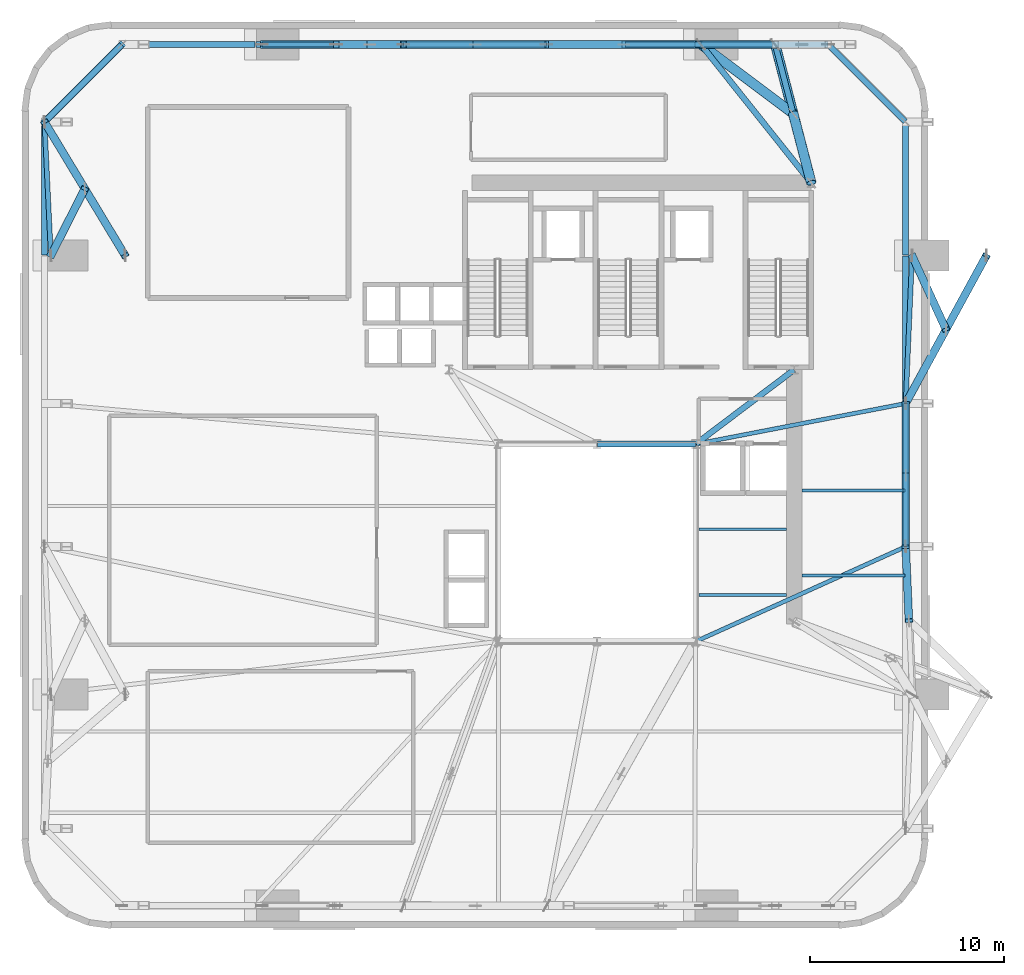
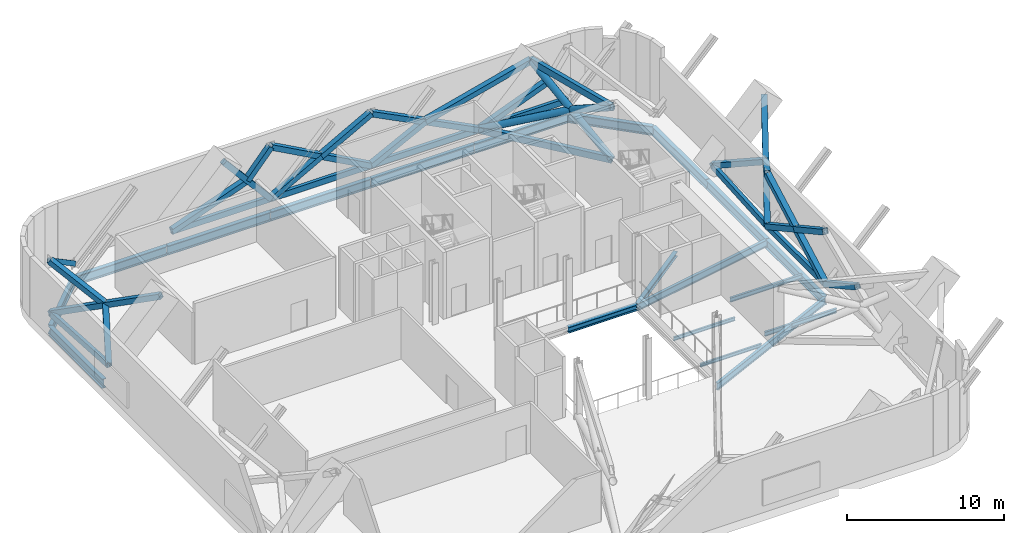
# One storey, part 3 of 12: 33 members, 19 beams.
"""IFC4 building model written with IfcOpenShell, lengths in metres."""

import ifcopenshell
import ifcopenshell.guid

model = None  # the IFC model being written
_history = None  # IfcOwnerHistory: only IFC2X3 demands one
_inside = {}  # id of a spatial element -> (the spatial element, [elements in it])
_under = {}  # id of a project, library or spatial element -> (it, [spatial elements below it])
_declared = {}  # id of a project -> (the project, [libraries it declares])
_typed = {}  # id of a type object -> (the type object, [elements of that type])
_made_of = {}  # id of a material, layer set ... -> (it, [elements and type objects made of it])


def new_model(schema):
    """Start an empty IFC model of exactly this schema.

    Asked for "IFC4X3", IfcOpenShell would pick the latest addendum, in which some entities
    have other attributes; the version numbers below select the first issue.
    IFC2X3 requires an IfcOwnerHistory on every rooted entity: one is made here for all.
    """
    global model, _history
    if schema == "IFC4X3":
        model = ifcopenshell.file(schema_version=(4, 3, 0, 0))
    else:
        model = ifcopenshell.file(schema=schema)
    _inside.clear()
    _under.clear()
    _declared.clear()
    _typed.clear()
    _made_of.clear()
    _history = None
    if model.schema == "IFC2X3":
        org = make("IfcOrganization", Name="unknown")
        user = make(
            "IfcPersonAndOrganization",
            ThePerson=make("IfcPerson", FamilyName="unknown"),
            TheOrganization=org,
        )
        app = make(
            "IfcApplication",
            ApplicationDeveloper=org,
            Version="unknown",
            ApplicationFullName="unknown",
            ApplicationIdentifier="unknown",
        )
        _history = make(
            "IfcOwnerHistory",
            OwningUser=user,
            OwningApplication=app,
            ChangeAction="ADDED",
            CreationDate=0,
        )
    return model


def make(cls, **values):
    """One entity of the class cls with the attributes given. An attribute that is None is left unset."""
    return model.create_entity(
        cls, **{name: value for name, value in values.items() if value is not None}
    )


def rooted(cls, **values):
    """An entity with a GlobalId (a new one), such as an element, a storey or a relation."""
    return make(cls, GlobalId=ifcopenshell.guid.new(), OwnerHistory=_history, **values)


def si_unit(unit_type, name, prefix=None):
    """IfcSIUnit, for example si_unit("LENGTHUNIT", "METRE", prefix="MILLI")."""
    return make("IfcSIUnit", UnitType=unit_type, Prefix=prefix, Name=name)


def assignment(units):
    """IfcUnitAssignment: the units of a project."""
    return None if units is None else make("IfcUnitAssignment", Units=units)


def point(xyz):
    """IfcCartesianPoint."""
    return None if xyz is None else make("IfcCartesianPoint", Coordinates=xyz)


def direction(xyz):
    """IfcDirection."""
    return None if xyz is None else make("IfcDirection", DirectionRatios=xyz)


def frame(location, z_axis=None, x_axis=None):
    """IfcAxis2Placement3D, a coordinate frame: its origin and axes. An axis left out is left unset."""
    return make(
        "IfcAxis2Placement3D",
        Location=point(location),
        Axis=direction(z_axis),
        RefDirection=direction(x_axis),
    )


def frame_2d(location, x_axis=None):
    """IfcAxis2Placement2D, a coordinate frame in the plane: its origin and x axis."""
    return make(
        "IfcAxis2Placement2D", Location=point(location), RefDirection=direction(x_axis)
    )


def origin():
    """The frame at (0, 0, 0) with its axes left unset."""
    return frame((0.0, 0.0, 0.0))


def origin_2d():
    """The frame at (0, 0) in the plane with its x axis left unset."""
    return frame_2d((0.0, 0.0))


def place(relative_to, where):
    """IfcLocalPlacement: puts the frame where relative to a parent placement (None: the world)."""
    return make(
        "IfcLocalPlacement", PlacementRelTo=relative_to, RelativePlacement=where
    )


def context(
    kind, dimensions, precision=None, world=None, true_north=None, identifier=None
):
    """IfcGeometricRepresentationContext, for example the 3D "Model" context."""
    return make(
        "IfcGeometricRepresentationContext",
        ContextIdentifier=identifier,
        ContextType=kind,
        CoordinateSpaceDimension=dimensions,
        Precision=precision,
        WorldCoordinateSystem=world,
        TrueNorth=true_north,
    )


def subcontext(parent, identifier, kind, view, scale=None):
    """IfcGeometricRepresentationSubContext, for example "Body" below "Model"."""
    return make(
        "IfcGeometricRepresentationSubContext",
        ContextIdentifier=identifier,
        ContextType=kind,
        ParentContext=parent,
        TargetScale=scale,
        TargetView=view,
    )


def project(units=None, contexts=None):
    """IfcProject with its units and contexts."""
    return rooted(
        "IfcProject",
        Name="project",
        RepresentationContexts=contexts,
        UnitsInContext=assignment(units),
    )


def spatial(cls, under=None, at=None, **own):
    """A site, building, storey or space (cls), placed at a placement, below another one or the project."""
    s = rooted(cls, ObjectPlacement=at, **own)
    if under is not None:
        _under.setdefault(under.id(), (under, []))[1].append(s)
    return s


def profile(cls, at=None, kind="AREA", **sizes):
    """A parametric profile (cls). Its sizes go by their IFC names, for example OverallWidth=200.0."""
    return make(cls, ProfileType=kind, Position=at, **sizes)


def hollow_rectangle(**sizes):
    """IfcRectangleHollowProfileDef."""
    return profile("IfcRectangleHollowProfileDef", **sizes)


def hollow_circle(**sizes):
    """IfcCircleHollowProfileDef."""
    return profile("IfcCircleHollowProfileDef", **sizes)


def i_section(**sizes):
    """IfcIShapeProfileDef."""
    return profile("IfcIShapeProfileDef", **sizes)


def extrude(swept, where, along, depth):
    """IfcExtrudedAreaSolid: the profile swept, set in the frame where, extruded along a direction by depth."""
    return make(
        "IfcExtrudedAreaSolid",
        SweptArea=swept,
        Position=where,
        ExtrudedDirection=direction(along),
        Depth=depth,
    )


def shape(context_of_items, identifier, shape_type, items):
    """IfcShapeRepresentation: the items that make up one representation, for example the "Body"."""
    return make(
        "IfcShapeRepresentation",
        ContextOfItems=context_of_items,
        RepresentationIdentifier=identifier,
        RepresentationType=shape_type,
        Items=items,
    )


def source(mapping_origin, context_of_items, identifier, shape_type, items):
    """IfcRepresentationMap: a shape defined once, which mapped items show again and again."""
    return make(
        "IfcRepresentationMap",
        MappingOrigin=mapping_origin,
        MappedRepresentation=shape(context_of_items, identifier, shape_type, items),
    )


def transform(
    local_origin,
    x_axis=None,
    y_axis=None,
    z_axis=None,
    scale=None,
    scale2=None,
    scale3=None,
    uniform=True,
):
    """IfcCartesianTransformationOperator3D, or its non-uniform kind. x_axis, y_axis, z_axis: its Axis1, 2, 3."""
    if uniform:
        return make(
            "IfcCartesianTransformationOperator3D",
            Axis1=direction(x_axis),
            Axis2=direction(y_axis),
            LocalOrigin=point(local_origin),
            Scale=scale,
            Axis3=direction(z_axis),
        )
    return make(
        "IfcCartesianTransformationOperator3DnonUniform",
        Axis1=direction(x_axis),
        Axis2=direction(y_axis),
        LocalOrigin=point(local_origin),
        Scale=scale,
        Axis3=direction(z_axis),
        Scale2=scale2,
        Scale3=scale3,
    )


def mapped(mapping_source, mapping_target):
    """IfcMappedItem: shows the shape of a source again, moved by a transform."""
    return make(
        "IfcMappedItem", MappingSource=mapping_source, MappingTarget=mapping_target
    )


def material(Name=None, Category=None):
    """IfcMaterial."""
    return make("IfcMaterial", Name=Name, Category=Category)


def material_profile(
    of_material, cross_section, Name=None, Category=None, Priority=None
):
    """IfcMaterialProfile: a cross section and its material."""
    return make(
        "IfcMaterialProfile",
        Name=Name,
        Material=of_material,
        Profile=cross_section,
        Priority=Priority,
        Category=Category,
    )


def profile_set(profiles, Name=None, composite=None):
    """IfcMaterialProfileSet."""
    return make(
        "IfcMaterialProfileSet",
        Name=Name,
        MaterialProfiles=profiles,
        CompositeProfile=composite,
    )


def made_of(thing, what):
    """Note that an element or type object is made of a material, layer set ...; save() writes the relation."""
    if what is not None:
        _made_of.setdefault(what.id(), (what, []))[1].append(thing)
    return thing


def type_object(cls, material=None, **own):
    """A type object (cls), such as IfcWallType, which elements share."""
    return made_of(rooted(cls, **own), material)


def element(
    cls,
    number,
    at=None,
    inside=None,
    cuts=None,
    type_object=None,
    material=None,
    context=None,
    identifier="Body",
    shape_type=None,
    held_by="IfcProductDefinitionShape",
    body=None,
    shapes=None,
    **own,
):
    """One element of the class cls, such as IfcWall. Its Tag is "e" and its number.

    at: its placement. inside: the storey or other place that contains it. cuts: it is an
    opening in that element (IfcRelVoidsElement). A single representation is given by context,
    identifier, shape_type and body (its items); several are given by shapes. held_by: the class
    of the entity that holds the representations. save() writes the other relations.
    """
    e = rooted(cls, Tag="e%d" % number, ObjectPlacement=at, **own)
    if body is not None:
        shapes = [shape(context, identifier, shape_type, body)]
    if shapes is not None:
        e.Representation = make(held_by, Representations=shapes)
    if inside is not None:
        _inside.setdefault(inside.id(), (inside, []))[1].append(e)
    if cuts is not None:
        rooted(
            "IfcRelVoidsElement", RelatingBuildingElement=cuts, RelatedOpeningElement=e
        )
    if type_object is not None:
        _typed.setdefault(type_object.id(), (type_object, []))[1].append(e)
    return made_of(e, material)


def aggregate(whole, parts):
    """IfcRelAggregates: a whole, such as a stair, and the parts it consists of."""
    return rooted("IfcRelAggregates", RelatingObject=whole, RelatedObjects=parts)


def save(model, path):
    """Write the relations noted so far, then the file.

    IfcRelAggregates (storeys below a building ...), IfcRelContainedInSpatialStructure (elements
    in a storey), IfcRelDefinesByType, IfcRelAssociatesMaterial and IfcRelDeclares: one each for
    every whole, place, type object, material and project.
    """
    for whole, parts in _under.values():
        aggregate(whole, parts)
    for where, things in _inside.values():
        rooted(
            "IfcRelContainedInSpatialStructure",
            RelatedElements=things,
            RelatingStructure=where,
        )
    for kind, things in _typed.values():
        rooted("IfcRelDefinesByType", RelatedObjects=things, RelatingType=kind)
    for what, things in _made_of.values():
        rooted("IfcRelAssociatesMaterial", RelatedObjects=things, RelatingMaterial=what)
    for by, libraries in _declared.values():
        rooted("IfcRelDeclares", RelatingContext=by, RelatedDefinitions=libraries)
    model.write(path)


model = new_model("IFC4")

# Units and contexts
model_context = context("Model", 3, precision=1e-05, world=origin(), true_north=direction((0.0, 1.0)))
body_context = subcontext(model_context, "Body", "Model", "MODEL_VIEW")
ifc_project = project(units=[si_unit("LENGTHUNIT", "METRE"), si_unit("AREAUNIT", "SQUARE_METRE"), si_unit("VOLUMEUNIT", "CUBIC_METRE"), si_unit("PLANEANGLEUNIT", "RADIAN"), si_unit("MASSUNIT", "GRAM", prefix="KILO")], contexts=[model_context])

# Site, building, storey
site_placement = place(None, origin())
site = spatial("IfcSite", under=ifc_project, at=site_placement, CompositionType="ELEMENT")
building_placement = place(site_placement, origin())
building = spatial("IfcBuilding", under=site, at=building_placement, Name="Vardaveli Station Tower", CompositionType="ELEMENT")
storey_placement = place(building_placement, frame((0.0, 0.0, 166.800048828125)))
storey = spatial("IfcBuildingStorey", under=building, at=storey_placement, Name="L43", CompositionType="ELEMENT", Elevation=166.800048828125)

# Beams
ifc_material_1 = material(Name="Structural steel S355J2", Category="steel")
ifc_material_profile_1 = material_profile(ifc_material_1, i_section(OverallWidth=0.300048828125, OverallDepth=0.449951171875, WebThickness=0.013916015625, FlangeThickness=0.02587890625, FilletRadius=0.027099609375, at=origin_2d()), Name="HEB 450")
ifc_profile_set_1 = profile_set([ifc_material_profile_1], Name="Structural steel S355J2")
beam_type_1 = type_object("IfcBeamType", Name="BM-HEB450", PredefinedType="BEAM", material=ifc_profile_set_1)
shared_shape_1 = source(origin(), body_context, "Body", "SweptSolid", [
    extrude(i_section(OverallWidth=0.300048828125, OverallDepth=0.449951171875, WebThickness=0.013916015625, FlangeThickness=0.02587890625, FilletRadius=0.027099609375, at=origin_2d()), origin(), (0.0, 0.0, 1.0), 5.059814453125),
])
beam_1_placement = place(storey_placement, frame((41.3798828125, 26.800048828125, -0.875), z_axis=(-1.0, 0.0, 0.0), x_axis=(0.0, -1.0, 0.0)))
element("IfcBeam", 1, at=beam_1_placement, inside=storey, type_object=beam_type_1, Name="ABM-L43-04", PredefinedType="BEAM", context=body_context, shape_type="MappedRepresentation", body=[
    mapped(shared_shape_1, transform((0.0, 0.0, 0.0), scale=1.0)),
])
ifc_material_profile_2 = material_profile(ifc_material_1, i_section(OverallWidth=0.300048828125, OverallDepth=0.360107421875, WebThickness=0.012451171875, FlangeThickness=0.0224609375, FilletRadius=0.027099609375, at=origin_2d()), Name="HEB 360")
ifc_profile_set_2 = profile_set([ifc_material_profile_2], Name="Structural steel S355J2")
beam_type_2 = type_object("IfcBeamType", Name="BM-HEB360", PredefinedType="BEAM", material=ifc_profile_set_2)
shared_shape_2 = source(origin(), body_context, "Body", "SweptSolid", [
    extrude(i_section(OverallWidth=0.300048828125, OverallDepth=0.360107421875, WebThickness=0.012451171875, FlangeThickness=0.0224609375, FilletRadius=0.027099609375, at=origin_2d()), origin(), (0.0, 0.0, 1.0), 6.35009765625),
])
beam_2_placement = place(storey_placement, frame((41.416015625, 26.81201171875, -0.830078125), z_axis=(0.798118337722, 0.602500721154, 0.0), x_axis=(-0.602500721154, 0.798118337722, 0.0)))
element("IfcBeam", 2, at=beam_2_placement, inside=storey, type_object=beam_type_2, Name="CBM-L43-02", PredefinedType="BEAM", context=body_context, shape_type="MappedRepresentation", body=[
    mapped(shared_shape_2, transform((0.0, 0.0, 0.0), scale=1.0)),
])
ifc_material_2 = material(Name="Structural steel S460M", Category="steel")
ifc_material_profile_3 = material_profile(ifc_material_2, i_section(OverallWidth=0.303955078125, OverallDepth=0.716064453125, WebThickness=0.02099609375, FlangeThickness=0.0400390625, FilletRadius=0.027099609375, at=origin_2d()), Name="HEM 700")
ifc_profile_set_3 = profile_set([ifc_material_profile_3], Name="Structural steel S460M")
beam_type_3 = type_object("IfcBeamType", Name="BM-HEM700", PredefinedType="BEAM", material=ifc_profile_set_3)
shared_shape_3 = source(origin(), body_context, "Body", "SweptSolid", [
    extrude(i_section(OverallWidth=0.303955078125, OverallDepth=0.716064453125, WebThickness=0.02099609375, FlangeThickness=0.0400390625, FilletRadius=0.027099609375, at=origin_2d()), origin(), (0.0, 0.0, 1.0), 7.60009765625),
])
for number, where, z_axis, x_axis, name in (
    (3, (52.25, 28.919921875, -1.008056640625), (0.0, 1.0, 0.0), (-1.0, 0.0, 0.0), "RBM-L43-09"),
    (4, (41.320068359375, 47.449951171875, -1.008056640625), (-1.0, 0.0, 0.0), (0.0, -1.0, 0.0), "RBM-L43-13"),
    (5, (26.280029296875, 47.449951171875, -1.008056640625), (-1.0, 0.0, 0.0), (0.0, -1.0, 0.0), "RBM-L43-15"),
):
    element("IfcBeam", number, at=place(storey_placement, frame(where, z_axis=z_axis, x_axis=x_axis)), inside=storey, type_object=beam_type_3, Name=name, PredefinedType="BEAM", context=body_context, shape_type="MappedRepresentation", body=[
        mapped(shared_shape_3, transform((0.0, 0.0, 0.0), scale=1.0)),
    ])
shared_shape_4 = source(origin(), body_context, "Body", "SweptSolid", [
    extrude(i_section(OverallWidth=0.303955078125, OverallDepth=0.716064453125, WebThickness=0.02099609375, FlangeThickness=0.0400390625, FilletRadius=0.027099609375, at=origin_2d()), origin(), (0.0, 0.0, 1.0), 7.35986328125),
])
for number, where, z_axis, x_axis, name in (
    (6, (52.25, 21.52001953125, -1.008056640625), (0.0, 1.0, 0.0), (-1.0, 0.0, 0.0), "RBM-L43-08"),
    (7, (33.679931640625, 47.449951171875, -1.008056640625), (-1.0, 0.0, 0.0), (0.0, -1.0, 0.0), "RBM-L43-14"),
):
    element("IfcBeam", number, at=place(storey_placement, frame(where, z_axis=z_axis, x_axis=x_axis)), inside=storey, type_object=beam_type_3, Name=name, PredefinedType="BEAM", context=body_context, shape_type="MappedRepresentation", body=[
        mapped(shared_shape_4, transform((0.0, 0.0, 0.0), scale=1.0)),
    ])
shared_shape_5 = source(origin(), body_context, "Body", "SweptSolid", [
    extrude(i_section(OverallWidth=0.303955078125, OverallDepth=0.716064453125, WebThickness=0.02099609375, FlangeThickness=0.0400390625, FilletRadius=0.027099609375, at=origin_2d()), origin(), (0.0, 0.0, 1.0), 6.869873046875),
])
for number, where, z_axis, x_axis, name in (
    (8, (52.25, 36.56005859375, -1.008056640625), (0.0, 1.0, 0.0), (-1.0, 0.0, 0.0), "RBM-L43-10"),
    (9, (48.22998046875, 47.449951171875, -1.008056640625), (-1.0, 0.0, 0.0), (0.0, -1.0, 0.0), "RBM-L43-12"),
    (10, (18.639892578125, 47.449951171875, -1.008056640625), (-1.0, 0.0, 0.0), (0.0, -1.0, 0.0), "RBM-L43-16"),
    (11, (7.75, 43.429931640625, -1.008056640625), (0.0, -1.0, 0.0), (1.0, 0.0, 0.0), "RBM-L43-18"),
):
    element("IfcBeam", number, at=place(storey_placement, frame(where, z_axis=z_axis, x_axis=x_axis)), inside=storey, type_object=beam_type_3, Name=name, PredefinedType="BEAM", context=body_context, shape_type="MappedRepresentation", body=[
        mapped(shared_shape_5, transform((0.0, 0.0, 0.0), scale=1.0)),
    ])
shared_shape_6 = source(origin(), body_context, "Body", "SweptSolid", [
    extrude(i_section(OverallWidth=0.303955078125, OverallDepth=0.716064453125, WebThickness=0.02099609375, FlangeThickness=0.0400390625, FilletRadius=0.027099609375, at=origin_2d()), origin(), (0.0, 0.0, 1.0), 5.61669921875),
])
for number, where, z_axis, x_axis, name in (
    (12, (52.23583984375, 43.464111328125, -1.008056640625), (-0.707106781187, 0.707106781187, 0.0), (-0.707106781187, -0.707106781187, 0.0), "RBM-L43-11"),
    (13, (11.73583984375, 47.435791015625, -1.008056640625), (-0.707106781187, -0.707106781187, 0.0), (0.707106781187, -0.707106781187, 0.0), "RBM-L43-17"),
):
    element("IfcBeam", number, at=place(storey_placement, frame(where, z_axis=z_axis, x_axis=x_axis)), inside=storey, type_object=beam_type_3, Name=name, PredefinedType="BEAM", context=body_context, shape_type="MappedRepresentation", body=[
        mapped(shared_shape_6, transform((0.0, 0.0, 0.0), scale=1.0)),
    ])
ifc_material_profile_4 = material_profile(ifc_material_1, i_section(OverallWidth=0.159912109375, OverallDepth=0.330078125, WebThickness=0.007568359375, FlangeThickness=0.011474609375, FilletRadius=0.01806640625, at=origin_2d()), Name="IPE 330")
ifc_profile_set_4 = profile_set([ifc_material_profile_4], Name="Structural steel S355J2")
beam_type_4 = type_object("IfcBeamType", Name="BM-IPE330", PredefinedType="JOIST", material=ifc_profile_set_4)
shared_shape_7 = source(origin(), body_context, "Body", "SweptSolid", [
    extrude(i_section(OverallWidth=0.159912109375, OverallDepth=0.330078125, WebThickness=0.007568359375, FlangeThickness=0.011474609375, FilletRadius=0.01806640625, at=origin_2d()), origin(), (0.0, 0.0, 1.0), 5.304931640625),
])
for number, where, z_axis, x_axis, name in (
    (14, (46.905029296875, 20.0, -0.81494140625), (1.0, 0.0, 0.0), (0.0, 1.0, 0.0), "SJ-L43-E07"),
    (15, (46.905029296875, 24.39990234375, -0.81494140625), (1.0, 0.0, 0.0), (0.0, 1.0, 0.0), "SJ-L43-E08"),
):
    element("IfcBeam", number, at=place(storey_placement, frame(where, z_axis=z_axis, x_axis=x_axis)), inside=storey, type_object=beam_type_4, Name=name, PredefinedType="JOIST", context=body_context, shape_type="MappedRepresentation", body=[
        mapped(shared_shape_7, transform((0.0, 0.0, 0.0), scale=1.0)),
    ])
ifc_material_profile_5 = material_profile(ifc_material_1, i_section(OverallWidth=0.135009765625, OverallDepth=0.27001953125, WebThickness=0.006591796875, FlangeThickness=0.01025390625, FilletRadius=0.014892578125, at=origin_2d()), Name="IPE 270")
ifc_profile_set_5 = profile_set([ifc_material_profile_5], Name="Structural steel S355J2")
beam_type_5 = type_object("IfcBeamType", Name="BM-IPE270", PredefinedType="BEAM", material=ifc_profile_set_5)
shared_shape_8 = source(origin(), body_context, "Body", "SweptSolid", [
    extrude(i_section(OverallWidth=0.135009765625, OverallDepth=0.27001953125, WebThickness=0.006591796875, FlangeThickness=0.01025390625, FilletRadius=0.014892578125, at=origin_2d()), origin(), (0.0, 0.0, 1.0), 4.530029296875),
])
for number, where, z_axis, x_axis, name in (
    (16, (41.56494140625, 19.0, -0.78515625), (1.0, 0.0, 0.0), (0.0, 1.0, 0.0), "TJ-L43-01"),
    (17, (41.56494140625, 22.39990234375, -0.78515625), (1.0, 0.0, 0.0), (0.0, 1.0, 0.0), "TJ-L43-02"),
):
    element("IfcBeam", number, at=place(storey_placement, frame(where, z_axis=z_axis, x_axis=x_axis)), inside=storey, type_object=beam_type_5, Name=name, PredefinedType="BEAM", context=body_context, shape_type="MappedRepresentation", body=[
        mapped(shared_shape_8, transform((0.0, 0.0, 0.0), scale=1.0)),
    ])
ifc_material_profile_6 = material_profile(ifc_material_1, i_section(OverallWidth=0.2099609375, OverallDepth=0.550048828125, WebThickness=0.010986328125, FlangeThickness=0.01708984375, FilletRadius=0.02392578125, at=origin_2d()), Name="IPE 550")
ifc_profile_set_6 = profile_set([ifc_material_profile_6], Name="Structural steel S355J2")
beam_type_6 = type_object("IfcBeamType", Name="BM-IPE550", PredefinedType="BEAM", material=ifc_profile_set_6)
shared_shape_9 = source(origin(), body_context, "Body", "SweptSolid", [
    extrude(i_section(OverallWidth=0.2099609375, OverallDepth=0.550048828125, WebThickness=0.010986328125, FlangeThickness=0.01708984375, FilletRadius=0.02392578125, at=origin_2d()), origin(), (0.0, 0.0, 1.0), 11.864990234375),
])
beam_3_placement = place(storey_placement, frame((52.231689453125, 21.49169921875, -0.925048828125), z_axis=(-0.911369354756, -0.411589478985, 0.0), x_axis=(0.411589478985, -0.911369354756, 0.0)))
element("IfcBeam", 18, at=beam_3_placement, inside=storey, type_object=beam_type_6, Name="GBM-L43-06", PredefinedType="BEAM", context=body_context, shape_type="MappedRepresentation", body=[
    mapped(shared_shape_9, transform((0.0, 0.0, 0.0), scale=1.0)),
])
shared_shape_10 = source(origin(), body_context, "Body", "SweptSolid", [
    extrude(i_section(OverallWidth=0.2099609375, OverallDepth=0.550048828125, WebThickness=0.010986328125, FlangeThickness=0.01708984375, FilletRadius=0.02392578125, at=origin_2d()), origin(), (0.0, 0.0, 1.0), 11.011474609375),
])
beam_4_placement = place(storey_placement, frame((52.23046875, 28.896240234375, -0.925048828125), z_axis=(-0.981777849093, -0.190032247343, 0.0), x_axis=(0.190032247343, -0.981777849093, 0.0)))
element("IfcBeam", 19, at=beam_4_placement, inside=storey, type_object=beam_type_6, Name="GBM-L43-07", PredefinedType="BEAM", context=body_context, shape_type="MappedRepresentation", body=[
    mapped(shared_shape_10, transform((0.0, 0.0, 0.0), scale=1.0)),
])

# Members
ifc_material_profile_7 = material_profile(ifc_material_2, hollow_rectangle(XDim=0.25, YDim=0.449951171875, WallThickness=0.01611328125, at=origin_2d()), Name="RHS 450x250x16")
ifc_profile_set_7 = profile_set([ifc_material_profile_7], Name="Structural steel S460M")
member_type_1 = type_object("IfcMemberType", Name="MEM-CH-RHS450", PredefinedType="CHORD", material=ifc_profile_set_7)
shared_shape_11 = source(origin(), body_context, "Body", "SweptSolid", [
    extrude(hollow_rectangle(XDim=0.25, YDim=0.449951171875, WallThickness=0.01611328125, at=origin_2d()), origin(), (0.0, 0.0, 1.0), 7.308349609375),
])
member_1_placement = place(storey_placement, frame((26.300048828125, 47.449951171875, 0.349853515625), z_axis=(-1.0, 0.0, 0.0), x_axis=(0.0, -1.0, 0.0)))
element("IfcMember", 20, at=member_1_placement, inside=storey, type_object=member_type_1, Name="BLT-L43-CH-12", PredefinedType="CHORD", context=body_context, shape_type="MappedRepresentation", body=[
    mapped(shared_shape_11, transform((0.0, 0.0, 0.0), scale=1.0)),
])
shared_shape_12 = source(origin(), body_context, "Body", "SweptSolid", [
    extrude(hollow_rectangle(XDim=0.25, YDim=0.449951171875, WallThickness=0.01611328125, at=origin_2d()), origin(), (0.0, 0.0, 1.0), 7.39990234375),
])
for number, where, z_axis, x_axis, name in (
    (21, (52.25, 21.5, 0.349853515625), (0.0, 1.0, 0.0), (-1.0, 0.0, 0.0), "BLT-L43-CH-07"),
    (22, (33.699951171875, 47.449951171875, 0.349853515625), (-1.0, 0.0, 0.0), (0.0, -1.0, 0.0), "BLT-L43-CH-11"),
):
    element("IfcMember", number, at=place(storey_placement, frame(where, z_axis=z_axis, x_axis=x_axis)), inside=storey, type_object=member_type_1, Name=name, PredefinedType="CHORD", context=body_context, shape_type="MappedRepresentation", body=[
        mapped(shared_shape_12, transform((0.0, 0.0, 0.0), scale=1.0)),
    ])
ifc_material_profile_8 = material_profile(ifc_material_2, hollow_rectangle(XDim=0.39990234375, YDim=0.39990234375, WallThickness=0.02001953125, at=origin_2d()), Name="RHS 400x400x20")
ifc_profile_set_8 = profile_set([ifc_material_profile_8], Name="Structural steel S460M")
member_type_2 = type_object("IfcMemberType", Name="MEM-BR-RHS400", PredefinedType="BRACE", material=ifc_profile_set_8)
shared_shape_13 = source(origin(), body_context, "Body", "SweptSolid", [
    extrude(hollow_rectangle(XDim=0.39990234375, YDim=0.39990234375, WallThickness=0.02001953125, at=origin_2d()), origin(), (0.0, 0.0, 1.0), 8.435791015625),
])
for number, where, z_axis, x_axis, name in (
    (23, (52.25, 21.5, 0.349853515625), (0.0, 0.877210039359, 0.480106807751), (-1.0, 0.0, 0.0), "BLT-L43-D1-07"),
    (24, (33.699951171875, 47.449951171875, 0.349853515625), (-0.877210039359, 0.0, 0.480106807751), (0.0, -1.0, 0.0), "BLT-L43-D1-11"),
):
    element("IfcMember", number, at=place(storey_placement, frame(where, z_axis=z_axis, x_axis=x_axis)), inside=storey, type_object=member_type_2, Name=name, PredefinedType="BRACE", context=body_context, shape_type="MappedRepresentation", body=[
        mapped(shared_shape_13, transform((0.0, 0.0, 0.0), scale=1.0)),
    ])
shared_shape_14 = source(origin(), body_context, "Body", "SweptSolid", [
    extrude(hollow_rectangle(XDim=0.39990234375, YDim=0.39990234375, WallThickness=0.02001953125, at=origin_2d()), origin(), (0.0, 0.0, 1.0), 4.218017578125),
])
for number, where, z_axis, x_axis, name in (
    (25, (52.25, 28.89990234375, 0.349853515625), (0.0, -0.877197850497, 0.480129077524), (1.0, 0.0, 0.0), "BLT-L43-D2A-07"),
    (26, (26.300048828125, 47.449951171875, 0.349853515625), (0.877197850497, 0.0, 0.480129077524), (0.0, 1.0, 0.0), "BLT-L43-D2A-11"),
):
    element("IfcMember", number, at=place(storey_placement, frame(where, z_axis=z_axis, x_axis=x_axis)), inside=storey, type_object=member_type_2, Name=name, PredefinedType="BRACE", context=body_context, shape_type="MappedRepresentation", body=[
        mapped(shared_shape_14, transform((0.0, 0.0, 0.0), scale=1.0)),
    ])
shared_shape_15 = source(origin(), body_context, "Body", "SweptSolid", [
    extrude(hollow_rectangle(XDim=0.39990234375, YDim=0.39990234375, WallThickness=0.02001953125, at=origin_2d()), origin(), (0.0, 0.0, 1.0), 4.2177734375),
])
for number, where, z_axis, x_axis, name in (
    (27, (52.25, 25.199951171875, 2.375), (0.0, -0.877222227994, 0.480084537049), (1.0, 0.0, 0.0), "BLT-L43-D2B-07"),
    (28, (30.0, 47.449951171875, 2.375), (0.877222227994, 0.0, 0.480084537049), (0.0, 1.0, 0.0), "BLT-L43-D2B-11"),
):
    element("IfcMember", number, at=place(storey_placement, frame(where, z_axis=z_axis, x_axis=x_axis)), inside=storey, type_object=member_type_2, Name=name, PredefinedType="BRACE", context=body_context, shape_type="MappedRepresentation", body=[
        mapped(shared_shape_15, transform((0.0, 0.0, 0.0), scale=1.0)),
    ])
shared_shape_16 = source(origin(), body_context, "Body", "SweptSolid", [
    extrude(hollow_rectangle(XDim=0.25, YDim=0.449951171875, WallThickness=0.01611328125, at=origin_2d()), origin(), (0.0, 0.0, 1.0), 7.9716796875),
])
member_2_placement = place(storey_placement, frame((41.671630859375, 47.449951171875, 0.349853515625), z_axis=(-1.0, 0.0, 0.0), x_axis=(0.0, -1.0, 0.0)))
element("IfcMember", 29, at=member_2_placement, inside=storey, type_object=member_type_1, Name="BLT-L43-CH-10", PredefinedType="CHORD", context=body_context, shape_type="MappedRepresentation", body=[
    mapped(shared_shape_16, transform((0.0, 0.0, 0.0), scale=1.0)),
])
shared_shape_17 = source(origin(), body_context, "Body", "SweptSolid", [
    extrude(hollow_rectangle(XDim=0.25, YDim=0.449951171875, WallThickness=0.01611328125, at=origin_2d()), origin(), (0.0, 0.0, 1.0), 6.578369140625),
])
member_3_placement = place(storey_placement, frame((48.25, 47.449951171875, 0.349853515625), z_axis=(-1.0, 0.0, 0.0), x_axis=(0.0, -1.0, 0.0)))
element("IfcMember", 30, at=member_3_placement, inside=storey, type_object=member_type_1, Name="BLT-L43-CH-09", PredefinedType="CHORD", context=body_context, shape_type="MappedRepresentation", body=[
    mapped(shared_shape_17, transform((0.0, 0.0, 0.0), scale=1.0)),
])
shared_shape_18 = source(origin(), body_context, "Body", "SweptSolid", [
    extrude(hollow_rectangle(XDim=0.39990234375, YDim=0.39990234375, WallThickness=0.02001953125, at=origin_2d()), origin(), (0.0, 0.0, 1.0), 4.37158203125),
])
member_4_placement = place(storey_placement, frame((8.08154296875, 36.5400390625, 0.349853515625), z_axis=(0.400927479956, 0.790350424341, 0.463253022181), x_axis=(-0.89181581989, 0.452398655384, 0.0)))
element("IfcMember", 31, at=member_4_placement, inside=storey, type_object=member_type_2, Name="BLT-L43-D2A-13", PredefinedType="BRACE", context=body_context, shape_type="MappedRepresentation", body=[
    mapped(shared_shape_18, transform((0.0, 0.0, 0.0), scale=1.0)),
])
shared_shape_19 = source(origin(), body_context, "Body", "SweptSolid", [
    extrude(hollow_rectangle(XDim=0.39990234375, YDim=0.39990234375, WallThickness=0.02001953125, at=origin_2d()), origin(), (0.0, 0.0, 1.0), 4.326904296875),
])
member_5_placement = place(storey_placement, frame((52.25, 21.5, 0.349853515625), z_axis=(0.038312289417, -0.882875393965, 0.468041886172), x_axis=(0.999059769044, 0.043354098753, 0.0)))
element("IfcMember", 32, at=member_5_placement, inside=storey, type_object=member_type_2, Name="BLT-L43-D2A-06", PredefinedType="BRACE", context=body_context, shape_type="MappedRepresentation", body=[
    mapped(shared_shape_19, transform((0.0, 0.0, 0.0), scale=1.0)),
])
shared_shape_20 = source(origin(), body_context, "Body", "SweptSolid", [
    extrude(hollow_rectangle(XDim=0.25, YDim=0.449951171875, WallThickness=0.01611328125, at=origin_2d()), origin(), (0.0, 0.0, 1.0), 7.647216796875),
])
member_6_placement = place(storey_placement, frame((52.25, 28.89990234375, 0.349853515625), z_axis=(0.043354098753, 0.999059769044, 0.0), x_axis=(-0.999059769044, 0.043354098753, 0.0)))
element("IfcMember", 33, at=member_6_placement, inside=storey, type_object=member_type_1, Name="BLT-L43-CH-08", PredefinedType="CHORD", context=body_context, shape_type="MappedRepresentation", body=[
    mapped(shared_shape_20, transform((0.0, 0.0, 0.0), scale=1.0)),
])
shared_shape_21 = source(origin(), body_context, "Body", "SweptSolid", [
    extrude(hollow_rectangle(XDim=0.39990234375, YDim=0.39990234375, WallThickness=0.02001953125, at=origin_2d()), origin(), (0.0, 0.0, 1.0), 9.599609375),
])
member_7_placement = place(storey_placement, frame((52.25, 28.89990234375, 0.349853515625), z_axis=(0.434236376103, 0.795888084442, 0.421901560453), x_axis=(-0.877841965924, 0.478950397079, 0.0)))
element("IfcMember", 34, at=member_7_placement, inside=storey, type_object=member_type_2, Name="BLT-L43-D1-08", PredefinedType="BRACE", context=body_context, shape_type="MappedRepresentation", body=[
    mapped(shared_shape_21, transform((0.0, 0.0, 0.0), scale=1.0)),
])
shared_shape_22 = source(origin(), body_context, "Body", "SweptSolid", [
    extrude(hollow_rectangle(XDim=0.39990234375, YDim=0.39990234375, WallThickness=0.02001953125, at=origin_2d()), origin(), (0.0, 0.0, 1.0), 4.66552734375),
])
member_8_placement = place(storey_placement, frame((52.58154296875, 36.5400390625, 0.349853515625), z_axis=(0.375676667061, -0.818806631773, 0.434076884423), x_axis=(0.908900656286, 0.417012706045, 0.0)))
element("IfcMember", 35, at=member_8_placement, inside=storey, type_object=member_type_2, Name="BLT-L43-D2A-08", PredefinedType="BRACE", context=body_context, shape_type="MappedRepresentation", body=[
    mapped(shared_shape_22, transform((0.0, 0.0, 0.0), scale=1.0)),
])
shared_shape_23 = source(origin(), body_context, "Body", "SweptSolid", [
    extrude(hollow_rectangle(XDim=0.39990234375, YDim=0.39990234375, WallThickness=0.02001953125, at=origin_2d()), origin(), (0.0, 0.0, 1.0), 4.7998046875),
])
member_9_placement = place(storey_placement, frame((54.334228515625, 32.719970703125, 2.375), z_axis=(-0.434241035419, -0.795896624247, 0.421880654535), x_axis=(0.877841965924, -0.478950397079, 0.0)))
element("IfcMember", 36, at=member_9_placement, inside=storey, type_object=member_type_2, Name="BLT-L43-D2B-08", PredefinedType="BRACE", context=body_context, shape_type="MappedRepresentation", body=[
    mapped(shared_shape_23, transform((0.0, 0.0, 0.0), scale=1.0)),
])
shared_shape_24 = source(origin(), body_context, "Body", "SweptSolid", [
    extrude(hollow_rectangle(XDim=0.39990234375, YDim=0.39990234375, WallThickness=0.02001953125, at=origin_2d()), origin(), (0.0, 0.0, 1.0), 5.58740234375),
])
member_10_placement = place(storey_placement, frame((41.671630859375, 47.449951171875, 0.349853515625), z_axis=(0.932004671541, 0.0, 0.362446261155), x_axis=(0.0, 1.0, 0.0)))
element("IfcMember", 37, at=member_10_placement, inside=storey, type_object=member_type_2, Name="BLT-L43-D2A-09", PredefinedType="BRACE", context=body_context, shape_type="MappedRepresentation", body=[
    mapped(shared_shape_24, transform((0.0, 0.0, 0.0), scale=1.0)),
])
shared_shape_25 = source(origin(), body_context, "Body", "SweptSolid", [
    extrude(hollow_rectangle(XDim=0.39990234375, YDim=0.39990234375, WallThickness=0.02001953125, at=origin_2d()), origin(), (0.0, 0.0, 1.0), 8.94140625),
])
member_11_placement = place(storey_placement, frame((41.671630859375, 47.449951171875, 0.349853515625), z_axis=(-0.891536341157, 0.0, 0.452949171979), x_axis=(0.0, -1.0, 0.0)))
element("IfcMember", 38, at=member_11_placement, inside=storey, type_object=member_type_2, Name="BLT-L43-D1-10", PredefinedType="BRACE", context=body_context, shape_type="MappedRepresentation", body=[
    mapped(shared_shape_25, transform((0.0, 0.0, 0.0), scale=1.0)),
])
shared_shape_26 = source(origin(), body_context, "Body", "SweptSolid", [
    extrude(hollow_rectangle(XDim=0.39990234375, YDim=0.39990234375, WallThickness=0.02001953125, at=origin_2d()), origin(), (0.0, 0.0, 1.0), 4.470703125),
])
member_12_placement = place(storey_placement, frame((33.699951171875, 47.449951171875, 0.349853515625), z_axis=(0.891525315034, 0.0, 0.452970873956), x_axis=(0.0, 1.0, 0.0)))
element("IfcMember", 39, at=member_12_placement, inside=storey, type_object=member_type_2, Name="BLT-L43-D2A-10", PredefinedType="BRACE", context=body_context, shape_type="MappedRepresentation", body=[
    mapped(shared_shape_26, transform((0.0, 0.0, 0.0), scale=1.0)),
])
shared_shape_27 = source(origin(), body_context, "Body", "SweptSolid", [
    extrude(hollow_rectangle(XDim=0.39990234375, YDim=0.39990234375, WallThickness=0.02001953125, at=origin_2d()), origin(), (0.0, 0.0, 1.0), 8.080322265625),
])
member_13_placement = place(storey_placement, frame((37.685791015625, 47.449951171875, 2.375), z_axis=(0.968091704543, 0.0, 0.2505961923), x_axis=(0.0, 1.0, 0.0)))
element("IfcMember", 40, at=member_13_placement, inside=storey, type_object=member_type_2, Name="BLT-L43-D2B-10", PredefinedType="BRACE", context=body_context, shape_type="MappedRepresentation", body=[
    mapped(shared_shape_27, transform((0.0, 0.0, 0.0), scale=1.0)),
])
shared_shape_28 = source(origin(), body_context, "Body", "SweptSolid", [
    extrude(hollow_rectangle(XDim=0.39990234375, YDim=0.39990234375, WallThickness=0.02001953125, at=origin_2d()), origin(), (0.0, 0.0, 1.0), 5.33447265625),
])
member_14_placement = place(storey_placement, frame((26.300048828125, 47.449951171875, 0.349853515625), z_axis=(-0.650813987701, 0.0, 0.759237218142), x_axis=(0.0, -1.0, 0.0)))
element("IfcMember", 41, at=member_14_placement, inside=storey, type_object=member_type_2, Name="BLT-L43-D1-12", PredefinedType="BRACE", context=body_context, shape_type="MappedRepresentation", body=[
    mapped(shared_shape_28, transform((0.0, 0.0, 0.0), scale=1.0)),
])
shared_shape_29 = source(origin(), body_context, "Body", "SweptSolid", [
    extrude(hollow_rectangle(XDim=0.39990234375, YDim=0.39990234375, WallThickness=0.02001953125, at=origin_2d()), origin(), (0.0, 0.0, 1.0), 5.92919921875),
])
member_15_placement = place(storey_placement, frame((18.99169921875, 47.449951171875, 0.349853515625), z_axis=(0.93985952916, 0.0, 0.341561217716), x_axis=(0.0, 1.0, 0.0)))
element("IfcMember", 42, at=member_15_placement, inside=storey, type_object=member_type_2, Name="BLT-L43-D2A-12", PredefinedType="BRACE", context=body_context, shape_type="MappedRepresentation", body=[
    mapped(shared_shape_29, transform((0.0, 0.0, 0.0), scale=1.0)),
])
shared_shape_30 = source(origin(), body_context, "Body", "SweptSolid", [
    extrude(hollow_rectangle(XDim=0.39990234375, YDim=0.39990234375, WallThickness=0.02001953125, at=origin_2d()), origin(), (0.0, 0.0, 1.0), 2.6669921875),
])
member_16_placement = place(storey_placement, frame((24.564208984375, 47.449951171875, 2.375), z_axis=(0.650836602941, 0.0, 0.759217831898), x_axis=(0.0, 1.0, 0.0)))
element("IfcMember", 43, at=member_16_placement, inside=storey, type_object=member_type_2, Name="BLT-L43-D2B-12", PredefinedType="BRACE", context=body_context, shape_type="MappedRepresentation", body=[
    mapped(shared_shape_30, transform((0.0, 0.0, 0.0), scale=1.0)),
])
shared_shape_31 = source(origin(), body_context, "Body", "SweptSolid", [
    extrude(hollow_rectangle(XDim=0.25, YDim=0.449951171875, WallThickness=0.01611328125, at=origin_2d()), origin(), (0.0, 0.0, 1.0), 6.91796875),
])
member_17_placement = place(storey_placement, frame((7.75, 43.449951171875, 0.349853515625), z_axis=(0.047925645, -0.998850906067, 0.0), x_axis=(0.998850906067, 0.047925645, 0.0)))
element("IfcMember", 44, at=member_17_placement, inside=storey, type_object=member_type_1, Name="BLT-L43-CH-13", PredefinedType="CHORD", context=body_context, shape_type="MappedRepresentation", body=[
    mapped(shared_shape_31, transform((0.0, 0.0, 0.0), scale=1.0)),
])
shared_shape_32 = source(origin(), body_context, "Body", "SweptSolid", [
    extrude(hollow_rectangle(XDim=0.39990234375, YDim=0.39990234375, WallThickness=0.02001953125, at=origin_2d()), origin(), (0.0, 0.0, 1.0), 9.029052734375),
])
member_18_placement = place(storey_placement, frame((7.75, 43.449951171875, 0.349853515625), z_axis=(0.46166585472, -0.765288080482, 0.448551883797), x_axis=(0.856259874357, 0.516545281234, 0.0)))
element("IfcMember", 45, at=member_18_placement, inside=storey, type_object=member_type_2, Name="BLT-L43-D1-13", PredefinedType="BRACE", context=body_context, shape_type="MappedRepresentation", body=[
    mapped(shared_shape_32, transform((0.0, 0.0, 0.0), scale=1.0)),
])
shared_shape_33 = source(origin(), body_context, "Body", "SweptSolid", [
    extrude(hollow_rectangle(XDim=0.39990234375, YDim=0.39990234375, WallThickness=0.02001953125, at=origin_2d()), origin(), (0.0, 0.0, 1.0), 4.514404296875),
])
member_19_placement = place(storey_placement, frame((9.834228515625, 39.9951171875, 2.375), z_axis=(-0.461681007537, 0.765286158798, 0.448539566184), x_axis=(-0.856251801881, -0.516558662473, 0.0)))
element("IfcMember", 46, at=member_19_placement, inside=storey, type_object=member_type_2, Name="BLT-L43-D2B-13", PredefinedType="BRACE", context=body_context, shape_type="MappedRepresentation", body=[
    mapped(shared_shape_33, transform((0.0, 0.0, 0.0), scale=1.0)),
])
ifc_material_profile_9 = material_profile(ifc_material_2, hollow_rectangle(XDim=0.35009765625, YDim=0.35009765625, WallThickness=0.01611328125, at=origin_2d()), Name="RHS 350x350x16")
ifc_profile_set_9 = profile_set([ifc_material_profile_9], Name="Structural steel S460M")
member_type_3 = type_object("IfcMemberType", Name="MEM-ST-RHS350", PredefinedType="STRUT", material=ifc_profile_set_9)
shared_shape_34 = source(origin(), body_context, "Body", "SweptSolid", [
    extrude(hollow_rectangle(XDim=0.35009765625, YDim=0.35009765625, WallThickness=0.01611328125, at=origin_2d()), origin(), (0.0, 0.0, 1.0), 6.957275390625),
])
member_20_placement = place(storey_placement, frame((11.75, 47.449951171875, 0.349853515625), z_axis=(-0.574942376987, -0.574942376987, 0.582136175039), x_axis=(0.707106781187, -0.707106781187, 0.0)))
element("IfcMember", 47, at=member_20_placement, inside=storey, type_object=member_type_3, Name="STRUT-L43-4", PredefinedType="STRUT", context=body_context, shape_type="MappedRepresentation", body=[
    mapped(shared_shape_34, transform((0.0, 0.0, 0.0), scale=1.0)),
])
ifc_material_profile_10 = material_profile(ifc_material_2, hollow_rectangle(XDim=0.300048828125, YDim=0.5, WallThickness=0.02001953125, at=origin_2d()), Name="RHS 500x300x20")
ifc_profile_set_10 = profile_set([ifc_material_profile_10], Name="Structural steel S460M")
member_type_4 = type_object("IfcMemberType", Name="MEM-CH-RHS500", PredefinedType="CHORD", material=ifc_profile_set_10)
shared_shape_35 = source(origin(), body_context, "Body", "SweptSolid", [
    extrude(hollow_rectangle(XDim=0.300048828125, YDim=0.5, WallThickness=0.02001953125, at=origin_2d()), origin(), (0.0, 0.0, 1.0), 9.14306640625),
])
member_21_placement = place(storey_placement, frame((47.3701171875, 40.300048828125, 0.349853515625), z_axis=(-0.623264436847, 0.782011151942, 0.0), x_axis=(-0.782011151942, -0.623264436847, 0.0)))
element("IfcMember", 48, at=member_21_placement, inside=storey, type_object=member_type_4, Name="OUT-L43-OA4-CHB", PredefinedType="CHORD", context=body_context, shape_type="MappedRepresentation", body=[
    mapped(shared_shape_35, transform((0.0, 0.0, 0.0), scale=1.0)),
])
shared_shape_36 = source(origin(), body_context, "Body", "SweptSolid", [
    extrude(hollow_rectangle(XDim=0.300048828125, YDim=0.5, WallThickness=0.02001953125, at=origin_2d()), origin(), (0.0, 0.0, 1.0), 7.388427734375),
])
member_22_placement = place(storey_placement, frame((47.3701171875, 40.300048828125, 4.39990234375), z_axis=(-0.25199411255, 0.967728767393, 0.0), x_axis=(-0.967728767393, -0.25199411255, 0.0)))
element("IfcMember", 49, at=member_22_placement, inside=storey, type_object=member_type_4, Name="OUT-L43-OA4-CHT", PredefinedType="CHORD", context=body_context, shape_type="MappedRepresentation", body=[
    mapped(shared_shape_36, transform((0.0, 0.0, 0.0), scale=1.0)),
])
ifc_material_profile_11 = material_profile(ifc_material_2, hollow_circle(Radius=0.25390625, WallThickness=0.02490234375, at=origin_2d()), Name="CHS 508x25")
ifc_profile_set_11 = profile_set([ifc_material_profile_11], Name="Structural steel S460M")
member_type_5 = type_object("IfcMemberType", Name="MEM-BR-CHS508", PredefinedType="BRACE", material=ifc_profile_set_11)
shared_shape_37 = source(origin(), body_context, "Body", "SweptSolid", [
    extrude(hollow_circle(Radius=0.25390625, WallThickness=0.02490234375, at=origin_2d()), origin(), (0.0, 0.0, 1.0), 8.425537109375),
])
member_23_placement = place(storey_placement, frame((47.3701171875, 40.300048828125, 0.349853515625), z_axis=(-0.220971958877, 0.848594910527, 0.480685002074), x_axis=(-0.967728767393, -0.25199411255, 0.0)))
element("IfcMember", 50, at=member_23_placement, inside=storey, type_object=member_type_5, Name="OUT-L43-OA4-D1", PredefinedType="BRACE", context=body_context, shape_type="MappedRepresentation", body=[
    mapped(shared_shape_37, transform((0.0, 0.0, 0.0), scale=1.0)),
])
shared_shape_38 = source(origin(), body_context, "Body", "SweptSolid", [
    extrude(hollow_circle(Radius=0.25390625, WallThickness=0.02490234375, at=origin_2d()), origin(), (0.0, 0.0, 1.0), 6.293701171875),
])
member_24_placement = place(storey_placement, frame((41.671630859375, 47.449951171875, 0.349853515625), z_axis=(0.757509870439, -0.568016029949, 0.321771014712), x_axis=(0.599921335011, 0.800058992699, 0.0)))
element("IfcMember", 51, at=member_24_placement, inside=storey, type_object=member_type_5, Name="OUT-L43-OA4-D2A", PredefinedType="BRACE", context=body_context, shape_type="MappedRepresentation", body=[
    mapped(shared_shape_38, transform((0.0, 0.0, 0.0), scale=1.0)),
])
shared_shape_39 = source(origin(), body_context, "Body", "SweptSolid", [
    extrude(hollow_circle(Radius=0.25390625, WallThickness=0.02490234375, at=origin_2d()), origin(), (0.0, 0.0, 1.0), 4.212646484375),
])
member_25_placement = place(storey_placement, frame((46.439208984375, 43.875, 2.375), z_axis=(0.220975036632, -0.848606729979, 0.480662720648), x_axis=(0.967728767393, 0.25199411255, 0.0)))
element("IfcMember", 52, at=member_25_placement, inside=storey, type_object=member_type_5, Name="OUT-L43-OA4-D2B", PredefinedType="BRACE", context=body_context, shape_type="MappedRepresentation", body=[
    mapped(shared_shape_39, transform((0.0, 0.0, 0.0), scale=1.0)),
])

save(model, "model.ifc")
